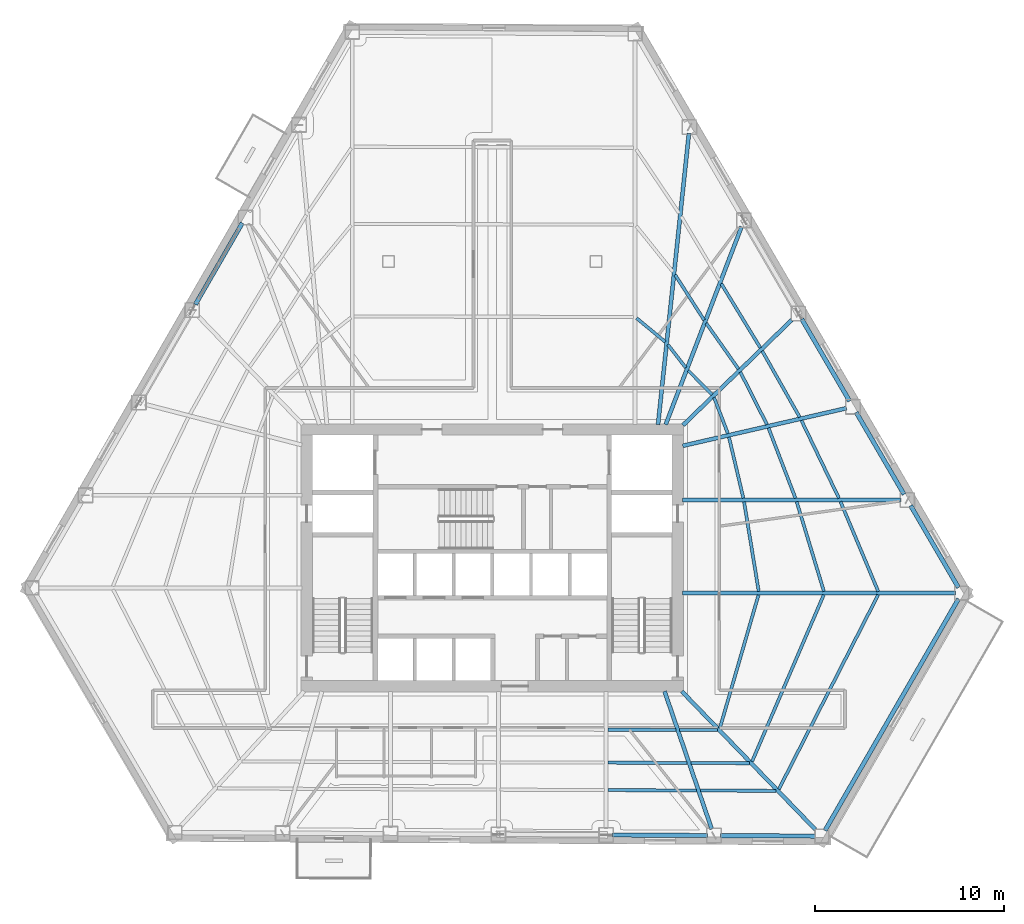
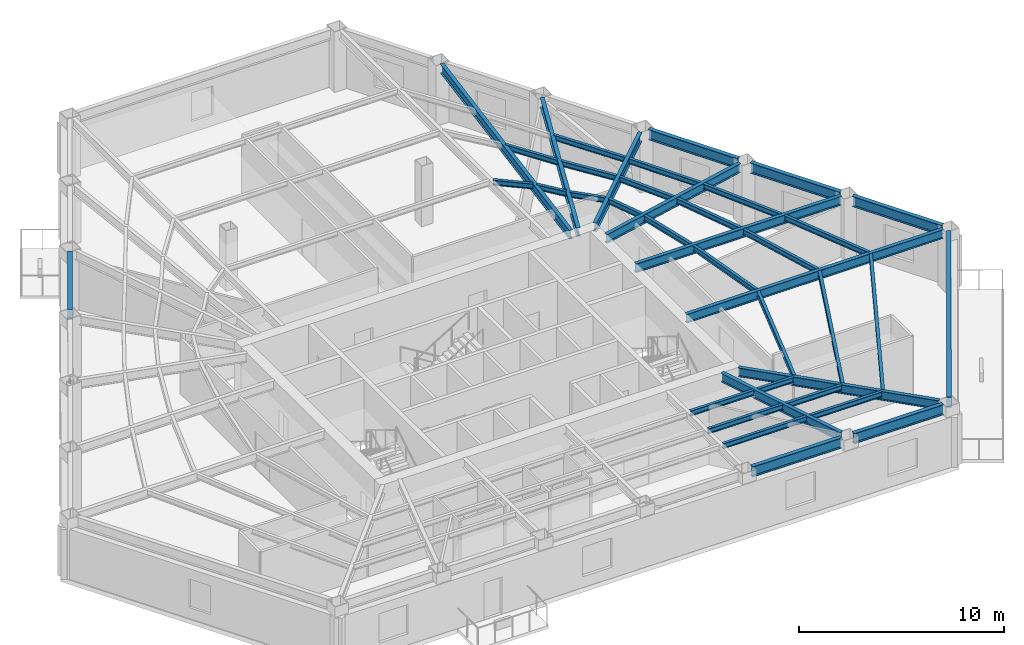
# One storey, part 3 of 16: 39 beams.
"""IFC4 building model written with IfcOpenShell, lengths in metres."""

from ifc_helpers import new_model, si_unit, direction, frame, origin, origin_2d, place, context, subcontext, project, spatial, i_section, extrude, material, material_profile, profile_set, type_object, element, save


model = new_model("IFC4")

# Units and contexts
model_context = context("Model", 3, precision=1e-05, world=origin(), true_north=direction((0.0, 1.0)))
body_context = subcontext(model_context, "Body", "Model", "MODEL_VIEW")
ifc_project = project(units=[si_unit("LENGTHUNIT", "METRE"), si_unit("AREAUNIT", "SQUARE_METRE"), si_unit("VOLUMEUNIT", "CUBIC_METRE"), si_unit("PLANEANGLEUNIT", "RADIAN"), si_unit("MASSUNIT", "GRAM", prefix="KILO")], contexts=[model_context])

# Site, building, storey
site_placement = place(None, origin())
site = spatial("IfcSite", under=ifc_project, at=site_placement, CompositionType="ELEMENT")
building_placement = place(site_placement, origin())
building = spatial("IfcBuilding", under=site, at=building_placement, Name="Kavelnor Concourse Tower", CompositionType="ELEMENT")
storey_placement = place(building_placement, frame((0.0, 0.0, 48.35009765625)))
storey = spatial("IfcBuildingStorey", under=building, at=storey_placement, Name="L12", CompositionType="ELEMENT", Elevation=48.35009765625)

# Beams
ifc_material = material(Name="Steel Grade 350", Category="steel")
ifc_material_profile_1 = material_profile(ifc_material, i_section(OverallWidth=0.166015625, OverallDepth=0.306884765625, WebThickness=0.006591796875, FlangeThickness=0.01171875, at=origin_2d()), Name="310UB46")
ifc_profile_set_1 = profile_set([ifc_material_profile_1], Name="Steel Grade 350")
beam_type_1 = type_object("IfcBeamType", Name="BM-JOIST-310", PredefinedType="JOIST", material=ifc_profile_set_1)
beam_1_placement = place(storey_placement, frame((44.1259765625, 7.004638671875, 3.4365234375), z_axis=(0.999996671508, -0.002580110912, 0.0), x_axis=(0.002580110912, 0.999996671508, 0.0)))
element("IfcBeam", 1, at=beam_1_placement, inside=storey, type_object=beam_type_1, Name="L12 Secondary Composite Joist 06-1", PredefinedType="JOIST", context=body_context, shape_type="SweptSolid", body=[
    extrude(i_section(OverallWidth=0.166015625, OverallDepth=0.306884765625, WebThickness=0.006591796875, FlangeThickness=0.01171875, at=origin_2d()), origin(), (0.0, 0.0, 1.0), 3.595703125),
])
beam_2_placement = place(storey_placement, frame((44.1259765625, 5.26025390625, 3.4365234375), z_axis=(0.999993064514, -0.003724368955, 0.0), x_axis=(0.003724368955, 0.999993064514, 0.0)))
element("IfcBeam", 2, at=beam_2_placement, inside=storey, type_object=beam_type_1, Name="L12 Secondary Composite Joist 06-2", PredefinedType="JOIST", context=body_context, shape_type="SweptSolid", body=[
    extrude(i_section(OverallWidth=0.166015625, OverallDepth=0.306884765625, WebThickness=0.006591796875, FlangeThickness=0.01171875, at=origin_2d()), origin(), (0.0, 0.0, 1.0), 4.1953125),
])
beam_3_placement = place(storey_placement, frame((44.1259765625, 3.806640625, 3.4365234375), z_axis=(0.999990000998, -0.004471901622, 0.0), x_axis=(0.004471901622, 0.999990000998, 0.0)))
element("IfcBeam", 3, at=beam_3_placement, inside=storey, type_object=beam_type_1, Name="L12 Secondary Composite Joist 06-3", PredefinedType="JOIST", context=body_context, shape_type="SweptSolid", body=[
    extrude(i_section(OverallWidth=0.166015625, OverallDepth=0.306884765625, WebThickness=0.006591796875, FlangeThickness=0.01171875, at=origin_2d()), origin(), (0.0, 0.0, 1.0), 4.695068359375),
])
beam_4_placement = place(storey_placement, frame((47.918701171875, 6.994384765625, 3.4365234375), z_axis=(0.999983586182, -0.005729517073, 0.0), x_axis=(0.005729517073, 0.999983586182, 0.0)))
element("IfcBeam", 4, at=beam_4_placement, inside=storey, type_object=beam_type_1, Name="L12 Secondary Composite Joist 07-1", PredefinedType="JOIST", context=body_context, shape_type="SweptSolid", body=[
    extrude(i_section(OverallWidth=0.166015625, OverallDepth=0.306884765625, WebThickness=0.006591796875, FlangeThickness=0.01171875, at=origin_2d()), origin(), (0.0, 0.0, 1.0), 2.002685546875),
])
beam_5_placement = place(storey_placement, frame((48.518310546875, 5.243896484375, 3.4365234375), z_axis=(0.999987678846, -0.004964086657, 0.0), x_axis=(0.004964086657, 0.999987678846, 0.0)))
element("IfcBeam", 5, at=beam_5_placement, inside=storey, type_object=beam_type_1, Name="L12 Secondary Composite Joist 07-2", PredefinedType="JOIST", context=body_context, shape_type="SweptSolid", body=[
    extrude(i_section(OverallWidth=0.166015625, OverallDepth=0.306884765625, WebThickness=0.006591796875, FlangeThickness=0.01171875, at=origin_2d()), origin(), (0.0, 0.0, 1.0), 3.098388671875),
])
beam_6_placement = place(storey_placement, frame((49.01806640625, 3.78466796875, 3.4365234375), z_axis=(0.999989857344, -0.004503910496, 0.0), x_axis=(0.004503910496, 0.999989857344, 0.0)))
element("IfcBeam", 6, at=beam_6_placement, inside=storey, type_object=beam_type_1, Name="L12 Secondary Composite Joist 07-3", PredefinedType="JOIST", context=body_context, shape_type="SweptSolid", body=[
    extrude(i_section(OverallWidth=0.166015625, OverallDepth=0.306884765625, WebThickness=0.006591796875, FlangeThickness=0.01171875, at=origin_2d()), origin(), (0.0, 0.0, 1.0), 4.01123046875),
])
beam_7_placement = place(storey_placement, frame((50.047119140625, 7.076904296875, 3.4365234375), z_axis=(0.278591842055, 0.960409592591, 0.0), x_axis=(-0.960409592591, 0.278591842055, 0.0)))
element("IfcBeam", 7, at=beam_7_placement, inside=storey, type_object=beam_type_1, Name="L12 Secondary Composite Joist 08-1", PredefinedType="JOIST", context=body_context, shape_type="SweptSolid", body=[
    extrude(i_section(OverallWidth=0.166015625, OverallDepth=0.306884765625, WebThickness=0.006591796875, FlangeThickness=0.01171875, at=origin_2d()), origin(), (0.0, 0.0, 1.0), 7.3515625),
])
beam_8_placement = place(storey_placement, frame((51.75390625, 5.318603515625, 3.4365234375), z_axis=(0.395139944443, 0.918620936135, 0.0), x_axis=(-0.918620936135, 0.395139944443, 0.0)))
element("IfcBeam", 8, at=beam_8_placement, inside=storey, type_object=beam_type_1, Name="L12 Secondary Composite Joist 08-2", PredefinedType="JOIST", context=body_context, shape_type="SweptSolid", body=[
    extrude(i_section(OverallWidth=0.166015625, OverallDepth=0.306884765625, WebThickness=0.006591796875, FlangeThickness=0.01171875, at=origin_2d()), origin(), (0.0, 0.0, 1.0), 9.6044921875),
])
beam_9_placement = place(storey_placement, frame((53.172607421875, 3.85400390625, 3.4365234375), z_axis=(0.455030281184, 0.890475964418, 0.0), x_axis=(-0.890475964418, 0.455030281184, 0.0)))
element("IfcBeam", 9, at=beam_9_placement, inside=storey, type_object=beam_type_1, Name="L12 Secondary Composite Joist 08-3", PredefinedType="JOIST", context=body_context, shape_type="SweptSolid", body=[
    extrude(i_section(OverallWidth=0.166015625, OverallDepth=0.306884765625, WebThickness=0.006591796875, FlangeThickness=0.01171875, at=origin_2d()), origin(), (0.0, 0.0, 1.0), 11.555908203125),
])
beam_10_placement = place(storey_placement, frame((52.10693359375, 14.329345703125, 3.4365234375), z_axis=(-0.161292460192, 0.986906653278, 0.0), x_axis=(-0.986906653278, -0.161292460192, 0.0)))
element("IfcBeam", 10, at=beam_10_placement, inside=storey, type_object=beam_type_1, Name="L12 Secondary Composite Joist 09-1", PredefinedType="JOIST", context=body_context, shape_type="SweptSolid", body=[
    extrude(i_section(OverallWidth=0.166015625, OverallDepth=0.306884765625, WebThickness=0.006591796875, FlangeThickness=0.01171875, at=origin_2d()), origin(), (0.0, 0.0, 1.0), 4.805908203125),
])
beam_11_placement = place(storey_placement, frame((55.559326171875, 14.326416015625, 3.4365234375), z_axis=(-0.290447016149, 0.956891075729, 0.0), x_axis=(-0.956891075729, -0.290447016149, 0.0)))
element("IfcBeam", 11, at=beam_11_placement, inside=storey, type_object=beam_type_1, Name="L12 Secondary Composite Joist 09-2", PredefinedType="JOIST", context=body_context, shape_type="SweptSolid", body=[
    extrude(i_section(OverallWidth=0.166015625, OverallDepth=0.306884765625, WebThickness=0.006591796875, FlangeThickness=0.01171875, at=origin_2d()), origin(), (0.0, 0.0, 1.0), 4.962646484375),
])
beam_12_placement = place(storey_placement, frame((58.4375, 14.322998046875, 3.4365234375), z_axis=(-0.387466612866, 0.921883736658, 0.0), x_axis=(-0.921883736658, -0.387466612866, 0.0)))
element("IfcBeam", 12, at=beam_12_placement, inside=storey, type_object=beam_type_1, Name="L12 Secondary Composite Joist 09-3", PredefinedType="JOIST", context=body_context, shape_type="SweptSolid", body=[
    extrude(i_section(OverallWidth=0.166015625, OverallDepth=0.306884765625, WebThickness=0.006591796875, FlangeThickness=0.01171875, at=origin_2d()), origin(), (0.0, 0.0, 1.0), 5.15869140625),
])
beam_13_placement = place(storey_placement, frame((51.293212890625, 19.265380859375, 3.4365234375), z_axis=(-0.229297476505, 0.97335639273, 0.0), x_axis=(-0.97335639273, -0.229297476505, 0.0)))
element("IfcBeam", 13, at=beam_13_placement, inside=storey, type_object=beam_type_1, Name="L12 Secondary Composite Joist 10-1", PredefinedType="JOIST", context=body_context, shape_type="SweptSolid", body=[
    extrude(i_section(OverallWidth=0.166015625, OverallDepth=0.306884765625, WebThickness=0.006591796875, FlangeThickness=0.01171875, at=origin_2d()), origin(), (0.0, 0.0, 1.0), 3.32080078125),
])
beam_14_placement = place(storey_placement, frame((54.053955078125, 19.261474609375, 3.4365234375), z_axis=(-0.358547797935, 0.933511369291, 0.0), x_axis=(-0.933511369291, -0.358547797935, 0.0)))
element("IfcBeam", 14, at=beam_14_placement, inside=storey, type_object=beam_type_1, Name="L12 Secondary Composite Joist 10-2", PredefinedType="JOIST", context=body_context, shape_type="SweptSolid", body=[
    extrude(i_section(OverallWidth=0.166015625, OverallDepth=0.306884765625, WebThickness=0.006591796875, FlangeThickness=0.01171875, at=origin_2d()), origin(), (0.0, 0.0, 1.0), 3.9833984375),
])
beam_15_placement = place(storey_placement, frame((56.357666015625, 19.258056640625, 3.4365234375), z_axis=(-0.434628277382, 0.900609938042, 0.0), x_axis=(-0.900609938042, -0.434628277382, 0.0)))
element("IfcBeam", 15, at=beam_15_placement, inside=storey, type_object=beam_type_1, Name="L12 Secondary Composite Joist 10-3", PredefinedType="JOIST", context=body_context, shape_type="SweptSolid", body=[
    extrude(i_section(OverallWidth=0.166015625, OverallDepth=0.306884765625, WebThickness=0.006591796875, FlangeThickness=0.01171875, at=origin_2d()), origin(), (0.0, 0.0, 1.0), 4.57861328125),
])
beam_16_placement = place(storey_placement, frame((50.473876953125, 22.685546875, 3.4365234375), z_axis=(-0.358090481492, 0.9336868892, 0.0), x_axis=(-0.9336868892, -0.358090481492, 0.0)))
element("IfcBeam", 16, at=beam_16_placement, inside=storey, type_object=beam_type_1, Name="L12 Secondary Composite Joist 11-1", PredefinedType="JOIST", context=body_context, shape_type="SweptSolid", body=[
    extrude(i_section(OverallWidth=0.166015625, OverallDepth=0.306884765625, WebThickness=0.006591796875, FlangeThickness=0.01171875, at=origin_2d()), origin(), (0.0, 0.0, 1.0), 2.0439453125),
])
beam_17_placement = place(storey_placement, frame((52.5458984375, 23.15966796875, 3.4365234375), z_axis=(-0.452597452645, 0.891714946527, 0.0), x_axis=(-0.891714946527, -0.452597452645, 0.0)))
element("IfcBeam", 17, at=beam_17_placement, inside=storey, type_object=beam_type_1, Name="L12 Secondary Composite Joist 11-2", PredefinedType="JOIST", context=body_context, shape_type="SweptSolid", body=[
    extrude(i_section(OverallWidth=0.166015625, OverallDepth=0.306884765625, WebThickness=0.006591796875, FlangeThickness=0.01171875, at=origin_2d()), origin(), (0.0, 0.0, 1.0), 3.115234375),
])
beam_18_placement = place(storey_placement, frame((54.2763671875, 23.55615234375, 3.4365234375), z_axis=(-0.492913025109, 0.87007858822, 0.0), x_axis=(-0.87007858822, -0.492913025109, 0.0)))
element("IfcBeam", 18, at=beam_18_placement, inside=storey, type_object=beam_type_1, Name="L12 Secondary Composite Joist 11-3", PredefinedType="JOIST", context=body_context, shape_type="SweptSolid", body=[
    extrude(i_section(OverallWidth=0.166015625, OverallDepth=0.306884765625, WebThickness=0.006591796875, FlangeThickness=0.01171875, at=origin_2d()), origin(), (0.0, 0.0, 1.0), 4.0224609375),
])
beam_19_placement = place(storey_placement, frame((49.63720703125, 24.755859375, 3.4365234375), z_axis=(-0.704785058666, 0.709420905444, 0.0), x_axis=(-0.709420905444, -0.704785058666, 0.0)))
element("IfcBeam", 19, at=beam_19_placement, inside=storey, type_object=beam_type_1, Name="L12 Secondary Composite Joist 12-1", PredefinedType="JOIST", context=body_context, shape_type="SweptSolid", body=[
    extrude(i_section(OverallWidth=0.166015625, OverallDepth=0.306884765625, WebThickness=0.006591796875, FlangeThickness=0.01171875, at=origin_2d()), origin(), (0.0, 0.0, 1.0), 1.79052734375),
])
beam_20_placement = place(storey_placement, frame((51.03466796875, 26.10595703125, 3.4365234375), z_axis=(-0.576023560083, 0.81743309098, 0.0), x_axis=(-0.81743309098, -0.576023560083, 0.0)))
element("IfcBeam", 20, at=beam_20_placement, inside=storey, type_object=beam_type_1, Name="L12 Secondary Composite Joist 12-2", PredefinedType="JOIST", context=body_context, shape_type="SweptSolid", body=[
    extrude(i_section(OverallWidth=0.166015625, OverallDepth=0.306884765625, WebThickness=0.006591796875, FlangeThickness=0.01171875, at=origin_2d()), origin(), (0.0, 0.0, 1.0), 2.965087890625),
])
beam_21_placement = place(storey_placement, frame((52.194091796875, 27.2255859375, 3.4365234375), z_axis=(-0.520379266499, 0.85393525457, 0.0), x_axis=(-0.85393525457, -0.520379266499, 0.0)))
element("IfcBeam", 21, at=beam_21_placement, inside=storey, type_object=beam_type_1, Name="L12 Secondary Composite Joist 12-3", PredefinedType="JOIST", context=body_context, shape_type="SweptSolid", body=[
    extrude(i_section(OverallWidth=0.166015625, OverallDepth=0.306884765625, WebThickness=0.006591796875, FlangeThickness=0.01171875, at=origin_2d()), origin(), (0.0, 0.0, 1.0), 3.9765625),
])
beam_22_placement = place(storey_placement, frame((48.245361328125, 26.173828125, 3.4365234375), z_axis=(-0.613232427677, 0.789902519078, 0.0), x_axis=(-0.789902519078, -0.613232427677, 0.0)))
element("IfcBeam", 22, at=beam_22_placement, inside=storey, type_object=beam_type_1, Name="L12 Secondary Composite Joist 13-1", PredefinedType="JOIST", context=body_context, shape_type="SweptSolid", body=[
    extrude(i_section(OverallWidth=0.166015625, OverallDepth=0.306884765625, WebThickness=0.006591796875, FlangeThickness=0.01171875, at=origin_2d()), origin(), (0.0, 0.0, 1.0), 1.5517578125),
])
beam_23_placement = place(storey_placement, frame((49.216796875, 28.693115234375, 3.4365234375), z_axis=(-0.539194596659, 0.842181207896, 0.0), x_axis=(-0.842181207896, -0.539194596659, 0.0)))
element("IfcBeam", 23, at=beam_23_placement, inside=storey, type_object=beam_type_1, Name="L12 Secondary Composite Joist 13-2", PredefinedType="JOIST", context=body_context, shape_type="SweptSolid", body=[
    extrude(i_section(OverallWidth=0.166015625, OverallDepth=0.306884765625, WebThickness=0.006591796875, FlangeThickness=0.01171875, at=origin_2d()), origin(), (0.0, 0.0, 1.0), 2.8515625),
])
beam_24_placement = place(storey_placement, frame((47.157470703125, 27.540283203125, 3.4365234375), z_axis=(-0.7699763154, 0.638072467455, 0.0), x_axis=(-0.638072467455, -0.7699763154, 0.0)))
element("IfcBeam", 24, at=beam_24_placement, inside=storey, type_object=beam_type_1, Name="L12 Secondary Composite Joist 14-1", PredefinedType="JOIST", context=body_context, shape_type="SweptSolid", body=[
    extrude(i_section(OverallWidth=0.166015625, OverallDepth=0.306884765625, WebThickness=0.006591796875, FlangeThickness=0.01171875, at=origin_2d()), origin(), (0.0, 0.0, 1.0), 1.96923828125),
])
ifc_material_profile_2 = material_profile(ifc_material, i_section(OverallWidth=0.208984375, OverallDepth=0.528076171875, WebThickness=0.009521484375, FlangeThickness=0.01318359375, at=origin_2d()), Name="530UB82")
ifc_profile_set_2 = profile_set([ifc_material_profile_2], Name="Steel Grade 350")
beam_type_2 = type_object("IfcBeamType", Name="BM-PRIMARY-530", PredefinedType="BEAM", material=ifc_profile_set_2)
beam_25_placement = place(storey_placement, frame((47.12060546875, 9.037841796875, 3.325927734375), z_axis=(0.324005396252, -0.946055232637, 0.0), x_axis=(0.946055232637, 0.324005396252, 0.0)))
element("IfcBeam", 25, at=beam_25_placement, inside=storey, type_object=beam_type_2, Name="L12 Primary Floor Girder F1-B5", PredefinedType="BEAM", context=body_context, shape_type="SweptSolid", body=[
    extrude(i_section(OverallWidth=0.208984375, OverallDepth=0.528076171875, WebThickness=0.009521484375, FlangeThickness=0.01318359375, at=origin_2d()), origin(), (0.0, 0.0, 1.0), 7.71142578125),
])
beam_26_placement = place(storey_placement, frame((48.0419921875, 9.02880859375, 3.325927734375), z_axis=(0.69492234718, -0.719084787344, 0.0), x_axis=(0.719084787344, 0.69492234718, 0.0)))
element("IfcBeam", 26, at=beam_26_placement, inside=storey, type_object=beam_type_2, Name="L12 Primary Floor Girder F1-B6", PredefinedType="BEAM", context=body_context, shape_type="SweptSolid", body=[
    extrude(i_section(OverallWidth=0.208984375, OverallDepth=0.528076171875, WebThickness=0.009521484375, FlangeThickness=0.01318359375, at=origin_2d()), origin(), (0.0, 0.0, 1.0), 10.164794921875),
])
beam_27_placement = place(storey_placement, frame((48.080078125, 14.232177734375, 3.325927734375), z_axis=(1.0, 0.0, 0.0), x_axis=(0.0, 1.0, 0.0)))
element("IfcBeam", 27, at=beam_27_placement, inside=storey, type_object=beam_type_2, Name="L12 Primary Floor Girder F2-B0", PredefinedType="BEAM", context=body_context, shape_type="SweptSolid", body=[
    extrude(i_section(OverallWidth=0.208984375, OverallDepth=0.528076171875, WebThickness=0.009521484375, FlangeThickness=0.01318359375, at=origin_2d()), origin(), (0.0, 0.0, 1.0), 14.4384765625),
])
beam_28_placement = place(storey_placement, frame((48.080078125, 19.16943359375, 3.325927734375), z_axis=(1.0, 0.0, 0.0), x_axis=(0.0, 1.0, 0.0)))
element("IfcBeam", 28, at=beam_28_placement, inside=storey, type_object=beam_type_2, Name="L12 Primary Floor Girder F2-B1", PredefinedType="BEAM", context=body_context, shape_type="SweptSolid", body=[
    extrude(i_section(OverallWidth=0.208984375, OverallDepth=0.528076171875, WebThickness=0.009521484375, FlangeThickness=0.01318359375, at=origin_2d()), origin(), (0.0, 0.0, 1.0), 11.55615234375),
])
beam_29_placement = place(storey_placement, frame((48.0810546875, 22.03564453125, 3.325927734375), z_axis=(0.974602094615, 0.223943647314, 0.0), x_axis=(-0.223943647314, 0.974602094615, 0.0)))
element("IfcBeam", 29, at=beam_29_placement, inside=storey, type_object=beam_type_2, Name="L12 Primary Floor Girder F2-B2", PredefinedType="BEAM", context=body_context, shape_type="SweptSolid", body=[
    extrude(i_section(OverallWidth=0.208984375, OverallDepth=0.528076171875, WebThickness=0.009521484375, FlangeThickness=0.01318359375, at=origin_2d()), origin(), (0.0, 0.0, 1.0), 8.898193359375),
])
beam_30_placement = place(storey_placement, frame((48.09130859375, 23.123291015625, 3.325927734375), z_axis=(0.718734509559, 0.695284621409, 0.0), x_axis=(-0.695284621409, 0.718734509559, 0.0)))
element("IfcBeam", 30, at=beam_30_placement, inside=storey, type_object=beam_type_2, Name="L12 Primary Floor Girder F2-B3", PredefinedType="BEAM", context=body_context, shape_type="SweptSolid", body=[
    extrude(i_section(OverallWidth=0.208984375, OverallDepth=0.528076171875, WebThickness=0.009521484375, FlangeThickness=0.01318359375, at=origin_2d()), origin(), (0.0, 0.0, 1.0), 8.027099609375),
])
beam_31_placement = place(storey_placement, frame((47.180908203125, 23.16259765625, 3.325927734375), z_axis=(0.358071970879, 0.933693988237, 0.0), x_axis=(-0.933693988237, 0.358071970879, 0.0)))
element("IfcBeam", 31, at=beam_31_placement, inside=storey, type_object=beam_type_2, Name="L12 Primary Floor Girder F2-B4", PredefinedType="BEAM", context=body_context, shape_type="SweptSolid", body=[
    extrude(i_section(OverallWidth=0.208984375, OverallDepth=0.528076171875, WebThickness=0.009521484375, FlangeThickness=0.01318359375, at=origin_2d()), origin(), (0.0, 0.0, 1.0), 11.219970703125),
])
beam_32_placement = place(storey_placement, frame((46.77490234375, 23.16015625, 3.325927734375), z_axis=(0.105560126515, 0.994412922125, 0.0), x_axis=(-0.994412922125, 0.105560126515, 0.0)))
element("IfcBeam", 32, at=beam_32_placement, inside=storey, type_object=beam_type_2, Name="L12 Primary Floor Girder F2-B5", PredefinedType="BEAM", context=body_context, shape_type="SweptSolid", body=[
    extrude(i_section(OverallWidth=0.208984375, OverallDepth=0.528076171875, WebThickness=0.009521484375, FlangeThickness=0.01318359375, at=origin_2d()), origin(), (0.0, 0.0, 1.0), 15.505126953125),
])
ifc_material_profile_3 = material_profile(ifc_material, i_section(OverallWidth=0.22900390625, OverallDepth=0.612060546875, WebThickness=0.011962890625, FlangeThickness=0.01953125, at=origin_2d()), Name="610UB125")
ifc_profile_set_3 = profile_set([ifc_material_profile_3], Name="Steel Grade 350")
beam_type_3 = type_object("IfcBeamType", Name="BM-SPANDREL-Z1", PredefinedType="SPANDREL", material=ifc_profile_set_3)
beam_33_placement = place(storey_placement, frame((24.760498046875, 33.8330078125, 3.283935546875), z_axis=(-0.499325499336, -0.86641447686, 0.0), x_axis=(0.86641447686, -0.499325499336, 0.0)))
element("IfcBeam", 33, at=beam_33_placement, inside=storey, type_object=beam_type_3, Name="L12 Perimeter Tube Spandrel Beam F0-B2", PredefinedType="SPANDREL", context=body_context, shape_type="SweptSolid", body=[
    extrude(i_section(OverallWidth=0.22900390625, OverallDepth=0.612060546875, WebThickness=0.011962890625, FlangeThickness=0.01953125, at=origin_2d()), origin(), (0.0, 0.0, 1.0), 4.969970703125),
])
beam_34_placement = place(storey_placement, frame((44.372314453125, 1.43017578125, 3.283935546875), z_axis=(0.999984354344, -0.00559384185, 0.0), x_axis=(0.00559384185, 0.999984354344, 0.0)))
element("IfcBeam", 34, at=beam_34_placement, inside=storey, type_object=beam_type_3, Name="L12 Perimeter Tube Spandrel Beam F1-B4", PredefinedType="SPANDREL", context=body_context, shape_type="SweptSolid", body=[
    extrude(i_section(OverallWidth=0.22900390625, OverallDepth=0.612060546875, WebThickness=0.011962890625, FlangeThickness=0.01953125, at=origin_2d()), origin(), (0.0, 0.0, 1.0), 5.01904296875),
])
beam_35_placement = place(storey_placement, frame((50.081298828125, 1.3984375, 3.283935546875), z_axis=(0.999984352822, -0.005594113955, 0.0), x_axis=(0.005594113955, 0.999984352822, 0.0)))
element("IfcBeam", 35, at=beam_35_placement, inside=storey, type_object=beam_type_3, Name="L12 Perimeter Tube Spandrel Beam F1-B5", PredefinedType="SPANDREL", context=body_context, shape_type="SweptSolid", body=[
    extrude(i_section(OverallWidth=0.22900390625, OverallDepth=0.612060546875, WebThickness=0.011962890625, FlangeThickness=0.01953125, at=origin_2d()), origin(), (0.0, 0.0, 1.0), 5.018798828125),
])
for number, where, z_axis, x_axis, name in (
    (36, (62.6845703125, 14.530029296875, 3.283935546875), (-0.504145778229, 0.86361856991, 0.0), (-0.86361856991, -0.504145778229, 0.0), "L12 Perimeter Tube Spandrel Beam F2-B0"),
    (37, (59.802490234375, 19.46728515625, 3.283935546875), (-0.504145778229, 0.86361856991, 0.0), (-0.86361856991, -0.504145778229, 0.0), "L12 Perimeter Tube Spandrel Beam F2-B1"),
):
    element("IfcBeam", number, at=place(storey_placement, frame(where, z_axis=z_axis, x_axis=x_axis)), inside=storey, type_object=beam_type_3, Name=name, PredefinedType="SPANDREL", context=body_context, shape_type="SweptSolid", body=[
        extrude(i_section(OverallWidth=0.22900390625, OverallDepth=0.612060546875, WebThickness=0.011962890625, FlangeThickness=0.01953125, at=origin_2d()), origin(), (0.0, 0.0, 1.0), 5.027099609375),
    ])
beam_36_placement = place(storey_placement, frame((56.920166015625, 24.40478515625, 3.283935546875), z_axis=(-0.504130700497, 0.863627371507, 0.0), x_axis=(-0.863627371507, -0.504130700497, 0.0)))
element("IfcBeam", 38, at=beam_36_placement, inside=storey, type_object=beam_type_3, Name="L12 Perimeter Tube Spandrel Beam F2-B2", PredefinedType="SPANDREL", context=body_context, shape_type="SweptSolid", body=[
    extrude(i_section(OverallWidth=0.22900390625, OverallDepth=0.612060546875, WebThickness=0.011962890625, FlangeThickness=0.01953125, at=origin_2d()), origin(), (0.0, 0.0, 1.0), 5.02685546875),
])
beam_37_placement = place(storey_placement, frame((55.617431640625, 1.667236328125, 3.283935546875), z_axis=(0.499318810758, 0.866418331537, 0.0), x_axis=(-0.866418331537, 0.499318810758, 0.0)))
element("IfcBeam", 39, at=beam_37_placement, inside=storey, type_object=beam_type_3, Name="L12 Chamfer Facet Spandrel Beam C2", PredefinedType="SPANDREL", context=body_context, shape_type="SweptSolid", body=[
    extrude(i_section(OverallWidth=0.22900390625, OverallDepth=0.612060546875, WebThickness=0.011962890625, FlangeThickness=0.01953125, at=origin_2d()), origin(), (0.0, 0.0, 1.0), 14.156982421875),
])

save(model, "model.ifc")
